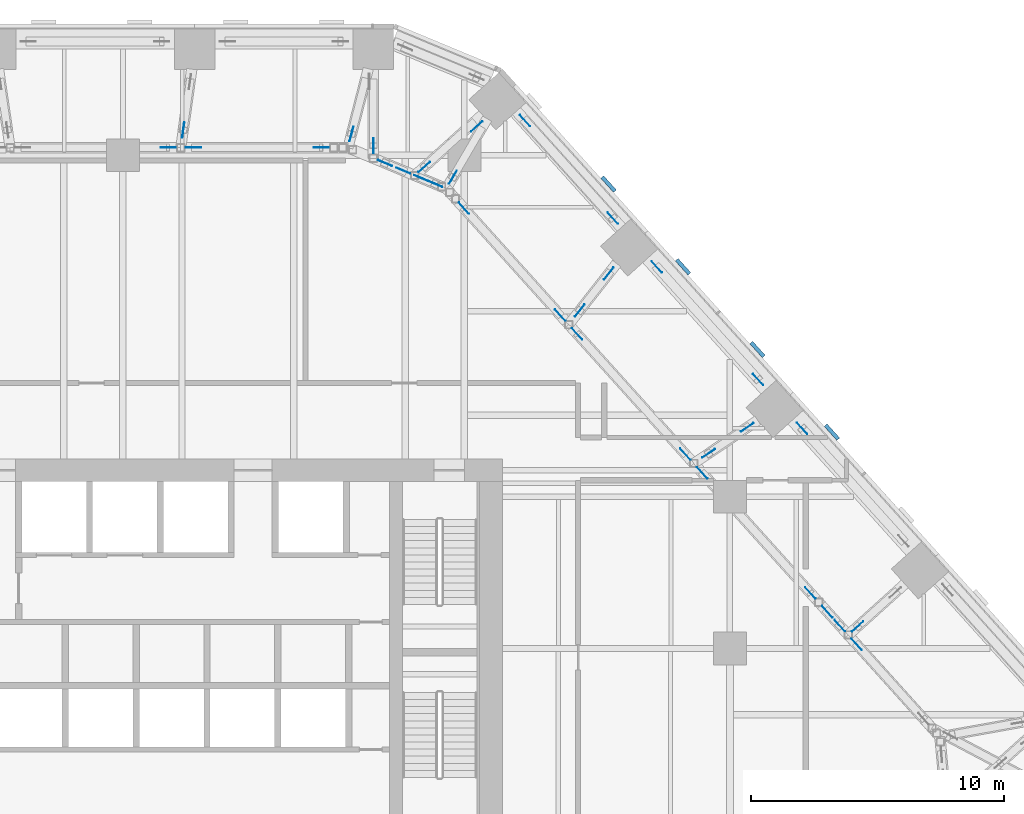
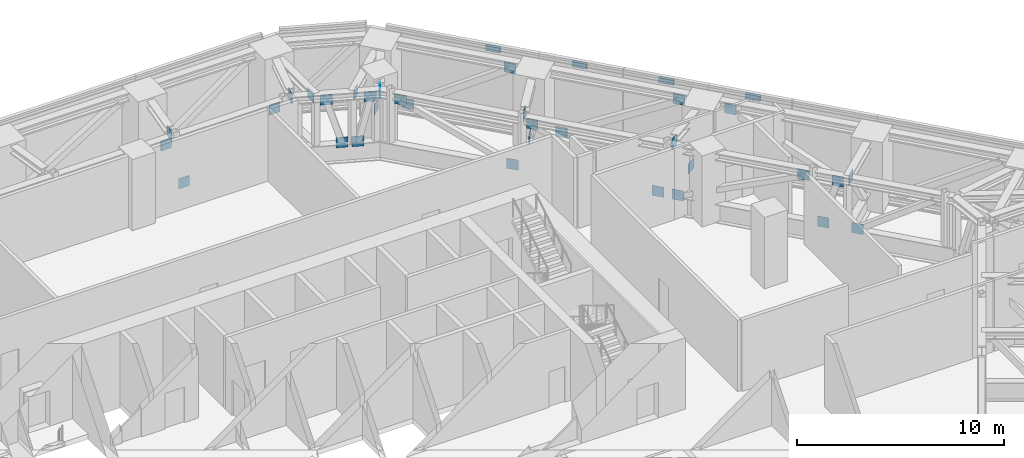
# One storey, part 32 of 36: 36 discrete accessories.
"""IFC4 building model written with IfcOpenShell, lengths in metres."""

from ifc_helpers import new_model, si_unit, direction, frame, origin, origin_2d, place, context, subcontext, project, spatial, rectangle, extrude, material, type_object, element, save


model = new_model("IFC4")

# Units and contexts
model_context = context("Model", 3, precision=1e-05, world=origin(), true_north=direction((0.0, 1.0)))
body_context = subcontext(model_context, "Body", "Model", "MODEL_VIEW")
ifc_project = project(units=[si_unit("LENGTHUNIT", "METRE"), si_unit("AREAUNIT", "SQUARE_METRE"), si_unit("VOLUMEUNIT", "CUBIC_METRE"), si_unit("PLANEANGLEUNIT", "RADIAN"), si_unit("MASSUNIT", "GRAM", prefix="KILO")], contexts=[model_context])

# Site, building, storey
site_placement = place(None, origin())
site = spatial("IfcSite", under=ifc_project, at=site_placement, CompositionType="ELEMENT")
building_placement = place(site_placement, origin())
building = spatial("IfcBuilding", under=site, at=building_placement, Name="Isthmus Gate Tower", CompositionType="ELEMENT")
storey_placement = place(building_placement, frame((0.0, 0.0, 117.14990234375)))
storey = spatial("IfcBuildingStorey", under=building, at=storey_placement, Name="L28", CompositionType="ELEMENT", Elevation=117.14990234375)

# Discrete accessories
ifc_material_1 = material(Name="Structural steel ASTM A572 Gr 50, white paint system", Category="steel")
discrete_accessory_type_1 = type_object("IfcDiscreteAccessoryType", Name="FIN BRACKET 748 X 150 X 300", PredefinedType="BRACKET", material=ifc_material_1)
for number, where, z_axis, x_axis, name in (
    (1, (28.036376953125, 16.0517578125, 3.9501953125), (0.0, 0.0, 1.0), (0.743144825477, 0.669130606359, 0.0), "FIN BRACKET"),
    (2, (25.09228515625, 19.321533203125, 3.9501953125), (0.0, 0.0, 1.0), (0.743144825477, 0.669130606359, 0.0), "FIN BRACKET"),
    (3, (22.14794921875, 22.59130859375, 3.9501953125), (0.0, 0.0, 1.0), (0.743144825477, 0.669130606359, 0.0), "FIN BRACKET"),
    (4, (19.203857421875, 25.861083984375, 3.9501953125), (0.0, 0.0, 1.0), (0.743144825477, 0.669130606359, 0.0), "FIN BRACKET"),
):
    element("IfcDiscreteAccessory", number, at=place(storey_placement, frame(where, z_axis=z_axis, x_axis=x_axis)), inside=storey, type_object=discrete_accessory_type_1, Name=name, PredefinedType="BRACKET", context=body_context, shape_type="SweptSolid", body=[
        extrude(rectangle(XDim=0.14990234375, YDim=0.748046875, at=origin_2d()), origin(), (0.0, 0.0, 1.0), 0.300048828125),
    ])
ifc_material_2 = material(Name="Structural steel ASTM A992 Gr 50", Category="steel")
discrete_accessory_type_2 = type_object("IfcDiscreteAccessoryType", Name="GUSSET PLATE 600 X 20", PredefinedType="USERDEFINED", material=ifc_material_2)
for number, where, z_axis, x_axis, name in (
    (5, (15.898681640625, 28.37353515625, 0.1826171875), (0.0, 0.0, 1.0), (0.669130606359, -0.743144825477, 0.0), "GUSSET PLATE"),
    (6, (19.37109375, 24.517333984375, 3.41748046875), (0.0, 0.0, 1.0), (0.669130606359, -0.743144825477, 0.0), "GUSSET PLATE"),
    (7, (21.11083984375, 22.5849609375, 0.1826171875), (0.0, 0.0, 1.0), (0.669130606359, -0.743144825477, 0.0), "GUSSET PLATE"),
    (8, (25.118408203125, 18.134033203125, 3.41748046875), (0.0, 0.0, 1.0), (0.669130606359, -0.743144825477, 0.0), "GUSSET PLATE"),
    (9, (26.858154296875, 16.201904296875, 3.41748046875), (0.0, 0.0, 1.0), (0.669130606359, -0.743144825477, 0.0), "GUSSET PLATE"),
    (10, (9.90185546875, 27.3828125, 3.374755859375), (0.0, 0.0, 1.0), (0.0, -1.0, 0.0), "GUSSET PLATE"),
    (11, (2.385986328125, 28.0, 3.374755859375), (0.0, 0.0, 1.0), (-0.138125919863, -0.990414675912, 0.0), "GUSSET PLATE"),
    (12, (29.051025390625, 8.36767578125, 3.374755859375), (0.0, 0.0, 1.0), (-0.743144825477, -0.669130606359, 0.0), "GUSSET PLATE"),
    (13, (24.687255859375, 16.24072265625, 0.7890625), (0.0, 0.0, 1.0), (-0.829275034775, -0.55884068991, 0.0), "GUSSET PLATE"),
    (14, (23.15869140625, 15.210693359375, 3.374755859375), (0.0, 0.0, 1.0), (-0.829275034775, -0.55884068991, 0.0), "GUSSET PLATE"),
    (15, (19.214599609375, 22.328369140625, 0.7890625), (0.0, 0.0, 1.0), (-0.617903444476, -0.786253987783, 0.0), "GUSSET PLATE"),
    (16, (18.06591796875, 20.86669921875, 3.374755859375), (0.0, 0.0, 1.0), (-0.617903444476, -0.786253987783, 0.0), "GUSSET PLATE"),
    (17, (13.9951171875, 28.142822265625, 0.7890625), (0.0, 0.0, 1.0), (-0.743144825477, -0.669130606359, 0.0), "GUSSET PLATE"),
    (18, (11.9140625, 26.53515625, 3.374755859375), (0.0, 0.0, 1.0), (-0.743144825477, -0.669130606359, 0.0), "GUSSET PLATE"),
    (19, (9.03857421875, 27.84326171875, 3.374755859375), (0.0, 0.0, 1.0), (-0.249081749691, -0.96848246343, 0.0), "GUSSET PLATE"),
    (20, (13.049072265625, 26.13134765625, 3.374755859375), (0.0, 0.0, 1.0), (-0.504372547351, -0.863486151295, 0.0), "GUSSET PLATE"),
    (21, (11.080810546875, 26.392822265625, 0.7890625), (0.0, 0.0, 1.0), (-0.923353128387, 0.383951820282, 0.0), "GUSSET PLATE"),
    (22, (10.36328125, 26.691162109375, 3.374755859375), (0.0, 0.0, 1.0), (-0.923353128387, 0.383951820282, 0.0), "GUSSET PLATE"),
    (23, (11.79541015625, 26.095458984375, 0.7890625), (0.0, 0.0, 1.0), (0.923353128387, -0.383951820282, 0.0), "GUSSET PLATE"),
    (24, (12.349365234375, 25.865234375, 3.374755859375), (0.0, 0.0, 1.0), (0.923353128387, -0.383951820282, 0.0), "GUSSET PLATE"),
    (25, (17.29248046875, 20.679443359375, 0.7890625), (0.0, 0.0, 1.0), (-0.669130606359, 0.743144825477, 0.0), "GUSSET PLATE"),
    (26, (13.484375, 24.90869140625, 3.374755859375), (0.0, 0.0, 1.0), (-0.669130606359, 0.743144825477, 0.0), "GUSSET PLATE"),
    (27, (22.238037109375, 15.18701171875, 0.7890625), (0.0, 0.0, 1.0), (-0.669130606359, 0.743144825477, 0.0), "GUSSET PLATE"),
    (28, (17.961669921875, 19.936279296875, 3.374755859375), (0.0, 0.0, 1.0), (-0.669130606359, 0.743144825477, 0.0), "GUSSET PLATE"),
    (29, (22.9072265625, 14.44384765625, 0.7890625), (0.0, 0.0, 1.0), (0.669130606359, -0.743144825477, 0.0), "GUSSET PLATE"),
    (30, (27.182861328125, 9.695068359375, 3.374755859375), (0.0, 0.0, 1.0), (0.669130606359, -0.743144825477, 0.0), "GUSSET PLATE"),
    (31, (27.85205078125, 8.951904296875, 0.7890625), (0.0, 0.0, 1.0), (0.669130606359, -0.743144825477, 0.0), "GUSSET PLATE"),
    (32, (28.34521484375, 8.404296875, 3.374755859375), (0.0, 0.0, 1.0), (0.669130606359, -0.743144825477, 0.0), "GUSSET PLATE"),
    (33, (29.014404296875, 7.6611328125, 0.7890625), (0.0, 0.0, 1.0), (0.669130606359, -0.743144825477, 0.0), "GUSSET PLATE"),
    (34, (1.78857421875, 27.300048828125, 3.374755859375), (0.0, 0.0, 1.0), (1.0, 0.0, 0.0), "GUSSET PLATE"),
    (35, (2.78857421875, 27.300048828125, 0.7890625), (0.0, 0.0, 1.0), (1.0, 0.0, 0.0), "GUSSET PLATE"),
    (36, (7.838623046875, 27.300048828125, 3.374755859375), (0.0, 0.0, 1.0), (1.0, 0.0, 0.0), "GUSSET PLATE"),
):
    element("IfcDiscreteAccessory", number, at=place(storey_placement, frame(where, z_axis=z_axis, x_axis=x_axis)), inside=storey, type_object=discrete_accessory_type_2, Name=name, ObjectType="GUSSET PLATE", PredefinedType="USERDEFINED", context=body_context, shape_type="SweptSolid", body=[
        extrude(rectangle(XDim=0.60009765625, YDim=0.02001953125, at=origin_2d()), origin(), (0.0, 0.0, 1.0), 0.60009765625),
    ])

save(model, "model.ifc")
